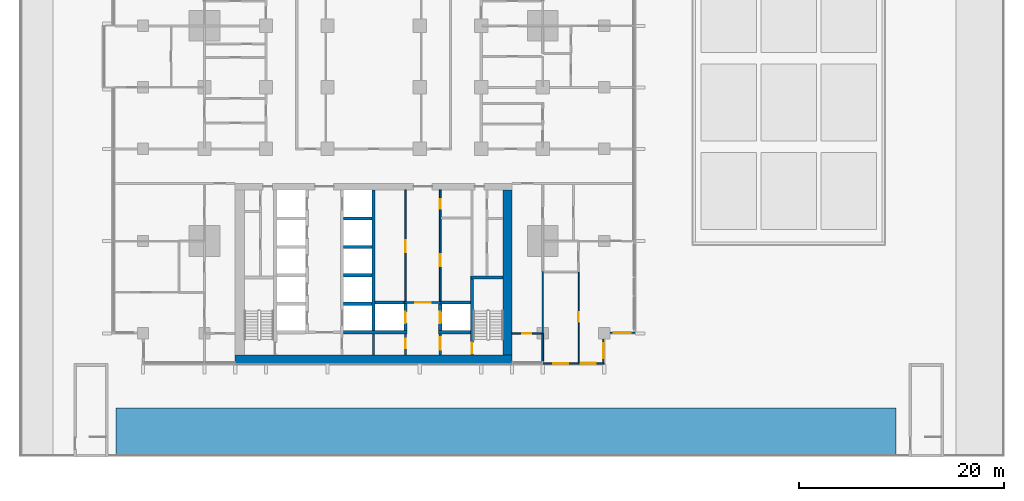
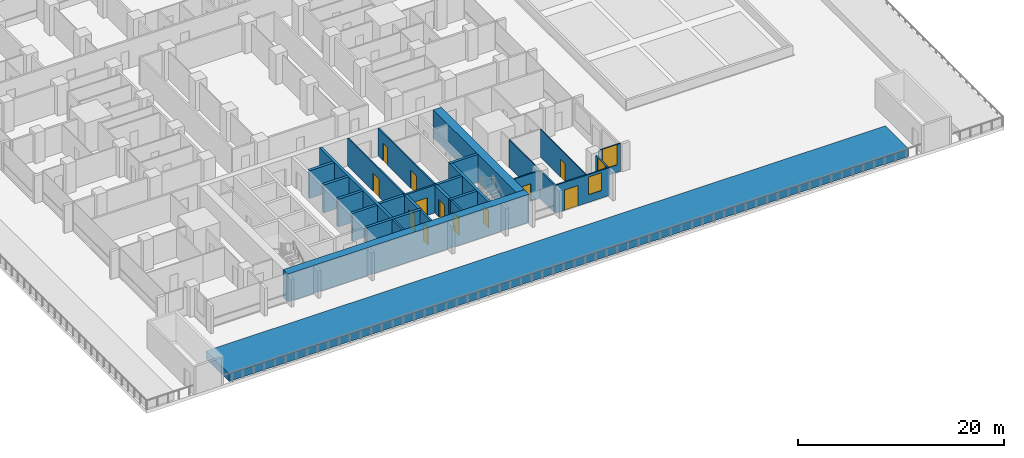
# One storey, part 11 of 25: 29 walls, 12 doors, 3 windows, 15 openings.
"""IFC4 building model written with IfcOpenShell, lengths in metres."""

from ifc_helpers import new_model, si_unit, direction, frame, frame_2d, origin, place, context, subcontext, project, spatial, rectangle, extrude, material, layer, layer_set, type_object, element, fill, save


model = new_model("IFC4")

# Units and contexts
model_context = context("Model", 3, precision=1e-05, world=origin(), true_north=direction((0.0, 1.0)))
body_context = subcontext(model_context, "Body", "Model", "MODEL_VIEW")
ifc_project = project(units=[si_unit("LENGTHUNIT", "METRE"), si_unit("AREAUNIT", "SQUARE_METRE"), si_unit("VOLUMEUNIT", "CUBIC_METRE"), si_unit("PLANEANGLEUNIT", "RADIAN"), si_unit("MASSUNIT", "GRAM", prefix="KILO")], contexts=[model_context])

# Site, building, storey
site_placement = place(None, origin())
site = spatial("IfcSite", under=ifc_project, at=site_placement, CompositionType="ELEMENT")
building_placement = place(site_placement, origin())
building = spatial("IfcBuilding", under=site, at=building_placement, Name="Finial Court Residences", CompositionType="ELEMENT")
storey_placement = place(building_placement, frame((0.0, 0.0, 32.5)))
storey = spatial("IfcBuildingStorey", under=building, at=storey_placement, Name="L06", CompositionType="ELEMENT", Elevation=32.5)

# Wall
ifc_material_1 = material(Name="Concrete C80/95", Category="concrete")
ifc_layer_1 = layer(ifc_material_1, 0.89990234375)
ifc_layer_set_1 = layer_set([ifc_layer_1], Name="Core outer wall 900 Concrete C80/95")
wall_type_1 = type_object("IfcWallType", Name="Core outer wall 900 Concrete C80/95", PredefinedType="SHEAR", material=ifc_layer_set_1)
wall_1_placement = place(storey_placement, frame((13.050048828125, -24.60009765625, 0.0), z_axis=(0.0, 0.0, 1.0), x_axis=(0.0, 1.0, 0.0)))
element("IfcWall", 1, at=wall_1_placement, inside=storey, type_object=wall_type_1, Name="Core outer wall L06-04", PredefinedType="SHEAR", context=body_context, shape_type="SweptSolid", body=[
    extrude(rectangle(XDim=16.10009765625, YDim=0.89990234375, at=frame_2d((8.050048828125, 0.0))), origin(), (0.0, 0.0, 1.0), 3.300048828125),
])

# Wall, opening, door
ifc_material_2 = material(Name="Fire-rated gypsum board partition")
ifc_layer_2 = layer(ifc_material_2, 0.14990234375)
ifc_layer_set_2 = layer_set([ifc_layer_2], Name="Core room partition 150 EI 60")
wall_type_2 = type_object("IfcWallType", Name="Core room partition 150 EI 60", PredefinedType="PARTITIONING", material=ifc_layer_set_2)
wall_2_placement = place(storey_placement, frame((3.10009765625, -19.39990234375, 0.0), z_axis=(0.0, 0.0, 1.0), x_axis=(0.0, 1.0, 0.0)))
wall_2 = element("IfcWall", 2, at=wall_2_placement, inside=storey, type_object=wall_type_2, Name="Core partition L06-32", PredefinedType="PARTITIONING", context=body_context, shape_type="SweptSolid", body=[
    extrude(rectangle(XDim=10.89990234375, YDim=0.14990234375, at=frame_2d((5.449951171875, 0.0))), origin(), (0.0, 0.0, 1.0), 3.300048828125),
])
opening_1_placement = place(wall_2_placement, frame((4.800048828125, 0.0, 0.0)))
opening_1 = element("IfcOpeningElement", 3, at=opening_1_placement, cuts=wall_2, Name="Opening L06-C14", PredefinedType="OPENING", context=body_context, shape_type="SweptSolid", body=[
    extrude(rectangle(XDim=1.199951171875, YDim=2.10009765625, at=frame_2d((0.60009765625, 1.050048828125))), frame((0.0, 0.0849609375, 0.0), z_axis=(0.0, -1.0, 0.0), x_axis=(1.0, 0.0, 0.0)), (0.0, 0.0, 1.0), 0.169921875),
])
ifc_material_3 = material(Name="Steel fire door", Category="steel")
door_type_1 = type_object("IfcDoorType", Name="Core room door 1200 x 2100 EI 60", OperationType="NOTDEFINED", PredefinedType="DOOR", material=ifc_material_3)
door_1_placement = place(opening_1_placement, origin())
door_1 = element("IfcDoor", 4, at=door_1_placement, inside=storey, type_object=door_type_1, Name="Core room door L06-C14", OperationType="SINGLE_SWING_LEFT", OverallHeight=2.10009765625, OverallWidth=1.199951171875, PredefinedType="DOOR", context=body_context, shape_type="SweptSolid", body=[
    extrude(rectangle(XDim=1.199951171875, YDim=2.10009765625, at=frame_2d((0.60009765625, 1.050048828125))), frame((0.0, 0.02490234375, 0.0), z_axis=(0.0, -1.0, 0.0), x_axis=(1.0, 0.0, 0.0)), (0.0, 0.0, 1.0), 0.050048828125),
])
fill(opening_1, door_1)

# Wall, openings, doors
wall_3_placement = place(storey_placement, frame((6.5, -8.5, 0.0), z_axis=(0.0, 0.0, 1.0), x_axis=(0.0, -1.0, 0.0)))
wall_3 = element("IfcWall", 5, at=wall_3_placement, inside=storey, type_object=wall_type_2, Name="Core partition L06-35", PredefinedType="PARTITIONING", context=body_context, shape_type="SweptSolid", body=[
    extrude(rectangle(XDim=10.85009765625, YDim=0.14990234375, at=frame_2d((5.425048828125, 0.0))), origin(), (0.0, 0.0, 1.0), 3.300048828125),
])
opening_2_placement = place(wall_3_placement, frame((6.27490234375, 0.0, 0.0)))
opening_2 = element("IfcOpeningElement", 6, at=opening_2_placement, cuts=wall_3, Name="Opening L06-C15", PredefinedType="OPENING", context=body_context, shape_type="SweptSolid", body=[
    extrude(rectangle(XDim=1.199951171875, YDim=2.10009765625, at=frame_2d((0.60009765625, 1.050048828125))), frame((0.0, 0.0849609375, 0.0), z_axis=(0.0, -1.0, 0.0), x_axis=(1.0, 0.0, 0.0)), (0.0, 0.0, 1.0), 0.169921875),
])
opening_3_placement = place(wall_3_placement, frame((0.925048828125, 0.0, 0.0)))
opening_3 = element("IfcOpeningElement", 7, at=opening_3_placement, cuts=wall_3, Name="Opening L06-C16", PredefinedType="OPENING", context=body_context, shape_type="SweptSolid", body=[
    extrude(rectangle(XDim=0.89990234375, YDim=2.10009765625, at=frame_2d((0.449951171875, 1.050048828125))), frame((0.0, 0.0849609375, 0.0), z_axis=(0.0, -1.0, 0.0), x_axis=(1.0, 0.0, 0.0)), (0.0, 0.0, 1.0), 0.169921875),
])
door_2_placement = place(opening_2_placement, origin())
door_2 = element("IfcDoor", 8, at=door_2_placement, inside=storey, type_object=door_type_1, Name="Core room door L06-C15", OperationType="SINGLE_SWING_RIGHT", OverallHeight=2.10009765625, OverallWidth=1.199951171875, PredefinedType="DOOR", context=body_context, shape_type="SweptSolid", body=[
    extrude(rectangle(XDim=1.199951171875, YDim=2.10009765625, at=frame_2d((0.60009765625, 1.050048828125))), frame((0.0, 0.02490234375, 0.0), z_axis=(0.0, -1.0, 0.0), x_axis=(1.0, 0.0, 0.0)), (0.0, 0.0, 1.0), 0.050048828125),
])
fill(opening_2, door_2)
door_type_2 = type_object("IfcDoorType", Name="Core room door 900 x 2100 EI 60", OperationType="NOTDEFINED", PredefinedType="DOOR", material=ifc_material_3)
door_3_placement = place(opening_3_placement, origin())
door_3 = element("IfcDoor", 9, at=door_3_placement, inside=storey, type_object=door_type_2, Name="Core room door L06-C16", OperationType="SINGLE_SWING_RIGHT", OverallHeight=2.10009765625, OverallWidth=0.89990234375, PredefinedType="DOOR", context=body_context, shape_type="SweptSolid", body=[
    extrude(rectangle(XDim=0.89990234375, YDim=2.10009765625, at=frame_2d((0.449951171875, 1.050048828125))), frame((0.0, 0.02490234375, 0.0), z_axis=(0.0, -1.0, 0.0), x_axis=(1.0, 0.0, 0.0)), (0.0, 0.0, 1.0), 0.050048828125),
])
fill(opening_3, door_3)

# Wall
ifc_layer_3 = layer(ifc_material_1, 0.89990234375)
ifc_layer_set_3 = layer_set([ifc_layer_3], Name="Core south facade wall 900 Concrete C80/95")
wall_type_3 = type_object("IfcWallType", Name="Core south facade wall 900 Concrete C80/95", PredefinedType="SHEAR", material=ifc_layer_set_3)
wall_4_placement = place(storey_placement, frame((-13.5, -25.050048828125, 0.0), z_axis=(0.0, 0.0, 1.0), x_axis=(1.0, 0.0, 0.0)))
element("IfcWall", 10, at=wall_4_placement, inside=storey, type_object=wall_type_3, Name="Core outer wall L06-01", PredefinedType="SHEAR", context=body_context, shape_type="SweptSolid", body=[
    extrude(rectangle(XDim=27.0, YDim=0.89990234375, at=frame_2d((13.5, 0.0))), origin(), (0.0, 0.0, 1.0), 3.300048828125),
])

# Wall, opening, door
ifc_layer_4 = layer(ifc_material_2, 0.199951171875)
ifc_layer_set_4 = layer_set([ifc_layer_4], Name="Firefighting lobby wall 200 EI 120")
wall_type_4 = type_object("IfcWallType", Name="Firefighting lobby wall 200 EI 120", PredefinedType="PARTITIONING", material=ifc_layer_set_4)
wall_5_placement = place(storey_placement, frame((6.574951171875, -19.5, 0.0), z_axis=(0.0, 0.0, 1.0), x_axis=(-1.0, 0.0, 0.0)))
wall_5 = element("IfcWall", 11, at=wall_5_placement, inside=storey, type_object=wall_type_4, Name="Core partition L06-08", PredefinedType="PARTITIONING", context=body_context, shape_type="SweptSolid", body=[
    extrude(rectangle(XDim=3.550048828125, YDim=0.199951171875, at=frame_2d((1.77490234375, 0.0))), origin(), (0.0, 0.0, 1.0), 3.300048828125),
])
opening_4_placement = place(wall_5_placement, frame((1.02490234375, 0.0, 0.0)))
opening_4 = element("IfcOpeningElement", 12, at=opening_4_placement, cuts=wall_5, Name="Opening L06-C02", PredefinedType="OPENING", context=body_context, shape_type="SweptSolid", body=[
    extrude(rectangle(XDim=1.5, YDim=2.10009765625, at=frame_2d((0.75, 1.050048828125))), frame((0.0, 0.10986328125, 0.0), z_axis=(0.0, -1.0, 0.0), x_axis=(1.0, 0.0, 0.0)), (0.0, 0.0, 1.0), 0.219970703125),
])
door_type_3 = type_object("IfcDoorType", Name="Firefighting lobby door 1500 x 2100 EI 90", OperationType="DOUBLE_DOOR_SINGLE_SWING", PredefinedType="DOOR", material=ifc_material_3)
door_4_placement = place(opening_4_placement, origin())
door_4 = element("IfcDoor", 13, at=door_4_placement, inside=storey, type_object=door_type_3, Name="Firefighting lobby door L06-C02", OperationType="DOUBLE_DOOR_SINGLE_SWING", OverallHeight=2.10009765625, OverallWidth=1.5, PredefinedType="DOOR", context=body_context, shape_type="SweptSolid", body=[
    extrude(rectangle(XDim=1.5, YDim=2.10009765625, at=frame_2d((0.75, 1.050048828125))), frame((0.0, 0.02490234375, 0.0), z_axis=(0.0, -1.0, 0.0), x_axis=(1.0, 0.0, 0.0)), (0.0, 0.0, 1.0), 0.050048828125),
])
fill(opening_4, door_4)

wall_6_placement = place(storey_placement, frame((3.10009765625, -24.60009765625, 0.0), z_axis=(0.0, 0.0, 1.0), x_axis=(0.0, 1.0, 0.0)))
wall_6 = element("IfcWall", 14, at=wall_6_placement, inside=storey, type_object=wall_type_4, Name="Core partition L06-30", PredefinedType="PARTITIONING", context=body_context, shape_type="SweptSolid", body=[
    extrude(rectangle(XDim=2.050048828125, YDim=0.199951171875, at=frame_2d((1.02490234375, 0.0))), origin(), (0.0, 0.0, 1.0), 3.300048828125),
])
opening_5_placement = place(wall_6_placement, frame((0.64990234375, 0.0, 0.0)))
opening_5 = element("IfcOpeningElement", 15, at=opening_5_placement, cuts=wall_6, Name="Opening L06-C06", PredefinedType="OPENING", context=body_context, shape_type="SweptSolid", body=[
    extrude(rectangle(XDim=0.89990234375, YDim=2.10009765625, at=frame_2d((0.449951171875, 1.050048828125))), frame((0.0, 0.10986328125, 0.0), z_axis=(0.0, -1.0, 0.0), x_axis=(1.0, 0.0, 0.0)), (0.0, 0.0, 1.0), 0.219970703125),
])
door_type_4 = type_object("IfcDoorType", Name="Riser room door 900 x 2100 EI 90", OperationType="NOTDEFINED", PredefinedType="DOOR", material=ifc_material_3)
door_5_placement = place(opening_5_placement, origin())
door_5 = element("IfcDoor", 16, at=door_5_placement, inside=storey, type_object=door_type_4, Name="Riser room door L06-C06", OperationType="SINGLE_SWING_LEFT", OverallHeight=2.10009765625, OverallWidth=0.89990234375, PredefinedType="DOOR", context=body_context, shape_type="SweptSolid", body=[
    extrude(rectangle(XDim=0.89990234375, YDim=2.10009765625, at=frame_2d((0.449951171875, 1.050048828125))), frame((0.0, 0.02490234375, 0.0), z_axis=(0.0, -1.0, 0.0), x_axis=(1.0, 0.0, 0.0)), (0.0, 0.0, 1.0), 0.050048828125),
])
fill(opening_5, door_5)

wall_7_placement = place(storey_placement, frame((6.5, -22.550048828125, 0.0), z_axis=(0.0, 0.0, 1.0), x_axis=(0.0, -1.0, 0.0)))
wall_7 = element("IfcWall", 17, at=wall_7_placement, inside=storey, type_object=wall_type_4, Name="Core partition L06-33", PredefinedType="PARTITIONING", context=body_context, shape_type="SweptSolid", body=[
    extrude(rectangle(XDim=2.050048828125, YDim=0.199951171875, at=frame_2d((1.02490234375, 0.0))), origin(), (0.0, 0.0, 1.0), 3.300048828125),
])
opening_6_placement = place(wall_7_placement, frame((0.35009765625, 0.0, 0.0)))
opening_6 = element("IfcOpeningElement", 18, at=opening_6_placement, cuts=wall_7, Name="Opening L06-C01", PredefinedType="OPENING", context=body_context, shape_type="SweptSolid", body=[
    extrude(rectangle(XDim=1.199951171875, YDim=2.10009765625, at=frame_2d((0.60009765625, 1.050048828125))), frame((0.0, 0.10986328125, 0.0), z_axis=(0.0, -1.0, 0.0), x_axis=(1.0, 0.0, 0.0)), (0.0, 0.0, 1.0), 0.219970703125),
])
door_type_5 = type_object("IfcDoorType", Name="Firefighting lobby door 1200 x 2100 EI 90", OperationType="NOTDEFINED", PredefinedType="DOOR", material=ifc_material_3)
door_6_placement = place(opening_6_placement, origin())
door_6 = element("IfcDoor", 19, at=door_6_placement, inside=storey, type_object=door_type_5, Name="Firefighting lobby door L06-C01", OperationType="SINGLE_SWING_RIGHT", OverallHeight=2.10009765625, OverallWidth=1.199951171875, PredefinedType="DOOR", context=body_context, shape_type="SweptSolid", body=[
    extrude(rectangle(XDim=1.199951171875, YDim=2.10009765625, at=frame_2d((0.60009765625, 1.050048828125))), frame((0.0, 0.02490234375, 0.0), z_axis=(0.0, -1.0, 0.0), x_axis=(1.0, 0.0, 0.0)), (0.0, 0.0, 1.0), 0.050048828125),
])
fill(opening_6, door_6)

# Wall
ifc_material_4 = material(Name="Gypsum board")
ifc_layer_5 = layer(ifc_material_4, 0.012451171875)
ifc_material_5 = material(Name="Mineral wool in light-gauge frame")
ifc_layer_6 = layer(ifc_material_5, 0.074951171875)
ifc_layer_7 = layer(ifc_material_4, 0.012451171875)
ifc_layer_set_5 = layer_set([ifc_layer_5, ifc_layer_6, ifc_layer_7], Name="Gypsum board partition 100")
wall_type_5 = type_object("IfcWallType", Name="Gypsum board partition 100", PredefinedType="PARTITIONING", material=ifc_layer_set_5)
wall_8_placement = place(storey_placement, frame((16.5, -22.5, 0.0), z_axis=(0.0, 0.0, 1.0), x_axis=(0.0, 1.0, 0.0)))
element("IfcWall", 20, at=wall_8_placement, inside=storey, type_object=wall_type_5, Name="Partition L06-078", PredefinedType="PARTITIONING", context=body_context, shape_type="SweptSolid", body=[
    extrude(rectangle(XDim=6.0, YDim=0.10009765625, at=frame_2d((3.0, 0.0))), origin(), (0.0, 0.0, 1.0), 3.300048828125),
])

# Wall, opening, door
wall_9_placement = place(storey_placement, frame((20.0, -25.35009765625, 0.0), z_axis=(0.0, 0.0, 1.0), x_axis=(0.0, 1.0, 0.0)))
wall_9 = element("IfcWall", 21, at=wall_9_placement, inside=storey, type_object=wall_type_5, Name="Partition L06-094", PredefinedType="PARTITIONING", context=body_context, shape_type="SweptSolid", body=[
    extrude(rectangle(XDim=8.85009765625, YDim=0.10009765625, at=frame_2d((4.425048828125, 0.0))), origin(), (0.0, 0.0, 1.0), 3.300048828125),
])
opening_7_placement = place(wall_9_placement, frame((4.0, 0.0, 0.0)))
opening_7 = element("IfcOpeningElement", 22, at=opening_7_placement, cuts=wall_9, Name="Opening L06-D058", PredefinedType="OPENING", context=body_context, shape_type="SweptSolid", body=[
    extrude(rectangle(XDim=0.89990234375, YDim=2.10009765625, at=frame_2d((0.449951171875, 1.050048828125))), frame((0.0, 0.06005859375, 0.0), z_axis=(0.0, -1.0, 0.0), x_axis=(1.0, 0.0, 0.0)), (0.0, 0.0, 1.0), 0.1201171875),
])
ifc_material_6 = material(Name="Timber door leaf in timber frame", Category="wood")
door_type_6 = type_object("IfcDoorType", Name="Door set 900 x 2100", OperationType="SINGLE_SWING_LEFT", PredefinedType="DOOR", material=ifc_material_6)
door_7_placement = place(opening_7_placement, origin())
door_7 = element("IfcDoor", 23, at=door_7_placement, inside=storey, type_object=door_type_6, Name="Door L06-D058", OperationType="SINGLE_SWING_RIGHT", OverallHeight=2.10009765625, OverallWidth=0.89990234375, PredefinedType="DOOR", context=body_context, shape_type="SweptSolid", body=[
    extrude(rectangle(XDim=0.89990234375, YDim=2.10009765625, at=frame_2d((0.449951171875, 1.050048828125))), frame((0.0, 0.02490234375, 0.0), z_axis=(0.0, -1.0, 0.0), x_axis=(1.0, 0.0, 0.0)), (0.0, 0.0, 1.0), 0.050048828125),
])
fill(opening_7, door_7)

ifc_material_7 = material(Name="Moisture-resistant gypsum board")
ifc_layer_8 = layer(ifc_material_7, 0.012451171875)
ifc_layer_9 = layer(ifc_material_5, 0.125)
ifc_layer_10 = layer(ifc_material_7, 0.012451171875)
ifc_layer_set_6 = layer_set([ifc_layer_8, ifc_layer_9, ifc_layer_10], Name="Gypsum board wet-area partition 150")
wall_type_6 = type_object("IfcWallType", Name="Gypsum board wet-area partition 150", PredefinedType="PARTITIONING", material=ifc_layer_set_6)
wall_10_placement = place(storey_placement, frame((13.5, -22.5, 0.0), z_axis=(0.0, 0.0, 1.0), x_axis=(1.0, 0.0, 0.0)))
wall_10 = element("IfcWall", 24, at=wall_10_placement, inside=storey, type_object=wall_type_6, Name="Partition L06-001", PredefinedType="PARTITIONING", context=body_context, shape_type="SweptSolid", body=[
    extrude(rectangle(XDim=2.925048828125, YDim=0.14990234375, at=frame_2d((1.46240234375, 0.0))), origin(), (0.0, 0.0, 1.0), 3.300048828125),
])
opening_8_placement = place(wall_10_placement, frame((1.0, 0.0, 0.0)))
opening_8 = element("IfcOpeningElement", 25, at=opening_8_placement, cuts=wall_10, Name="Opening L06-D002", PredefinedType="OPENING", context=body_context, shape_type="SweptSolid", body=[
    extrude(rectangle(XDim=0.89990234375, YDim=2.10009765625, at=frame_2d((0.449951171875, 1.050048828125))), frame((0.0, 0.0849609375, 0.0), z_axis=(0.0, -1.0, 0.0), x_axis=(1.0, 0.0, 0.0)), (0.0, 0.0, 1.0), 0.169921875),
])
door_8_placement = place(opening_8_placement, origin())
door_8 = element("IfcDoor", 26, at=door_8_placement, inside=storey, type_object=door_type_6, Name="Door L06-D002", OperationType="SINGLE_SWING_RIGHT", OverallHeight=2.10009765625, OverallWidth=0.89990234375, PredefinedType="DOOR", context=body_context, shape_type="SweptSolid", body=[
    extrude(rectangle(XDim=0.89990234375, YDim=2.10009765625, at=frame_2d((0.449951171875, 1.050048828125))), frame((0.0, 0.02490234375, 0.0), z_axis=(0.0, -1.0, 0.0), x_axis=(1.0, 0.0, 0.0)), (0.0, 0.0, 1.0), 0.050048828125),
])
fill(opening_8, door_8)

# Walls
wall_11_placement = place(storey_placement, frame((16.5, -25.25, 0.0), z_axis=(0.0, 0.0, 1.0), x_axis=(0.0, 1.0, 0.0)))
element("IfcWall", 27, at=wall_11_placement, inside=storey, type_object=wall_type_6, Name="Partition L06-084", PredefinedType="PARTITIONING", context=body_context, shape_type="SweptSolid", body=[
    extrude(rectangle(XDim=2.75, YDim=0.14990234375, at=frame_2d((1.375, 0.0))), origin(), (0.0, 0.0, 1.0), 3.300048828125),
])
ifc_layer_11 = layer(ifc_material_1, 0.300048828125)
ifc_layer_set_7 = layer_set([ifc_layer_11], Name="Lift shaft and stair wall 300 Concrete C80/95")
wall_type_7 = type_object("IfcWallType", Name="Lift shaft and stair wall 300 Concrete C80/95", PredefinedType="SHEAR", material=ifc_layer_set_7)
wall_12_placement = place(storey_placement, frame((-2.949951171875, -22.39990234375, 0.0), z_axis=(0.0, 0.0, 1.0), x_axis=(1.0, 0.0, 0.0)))
element("IfcWall", 28, at=wall_12_placement, inside=storey, type_object=wall_type_7, Name="Core wall L06-03", PredefinedType="SHEAR", context=body_context, shape_type="SweptSolid", body=[
    extrude(rectangle(XDim=6.199951171875, YDim=0.300048828125, at=frame_2d((3.10009765625, 0.0))), origin(), (0.0, 0.0, 1.0), 3.300048828125),
])
wall_13_placement = place(storey_placement, frame((6.35009765625, -22.39990234375, 0.0), z_axis=(0.0, 0.0, 1.0), x_axis=(1.0, 0.0, 0.0)))
element("IfcWall", 29, at=wall_13_placement, inside=storey, type_object=wall_type_7, Name="Core wall L06-04", PredefinedType="SHEAR", context=body_context, shape_type="SweptSolid", body=[
    extrude(rectangle(XDim=3.099853515625, YDim=0.300048828125, at=frame_2d((1.5498046875, 0.0))), origin(), (0.0, 0.0, 1.0), 3.300048828125),
])
wall_14_placement = place(storey_placement, frame((-2.949951171875, -19.6201171875, 0.0), z_axis=(0.0, 0.0, 1.0), x_axis=(1.0, 0.0, 0.0)))
element("IfcWall", 30, at=wall_14_placement, inside=storey, type_object=wall_type_7, Name="Core wall L06-06", PredefinedType="SHEAR", context=body_context, shape_type="SweptSolid", body=[
    extrude(rectangle(XDim=2.800048828125, YDim=0.300048828125, at=frame_2d((1.39990234375, 0.0))), origin(), (0.0, 0.0, 1.0), 3.300048828125),
])
wall_15_placement = place(storey_placement, frame((0.14990234375, -19.5, 0.0), z_axis=(0.0, 0.0, 1.0), x_axis=(1.0, 0.0, 0.0)))
element("IfcWall", 31, at=wall_15_placement, inside=storey, type_object=wall_type_7, Name="Core wall L06-07", PredefinedType="SHEAR", context=body_context, shape_type="SweptSolid", body=[
    extrude(rectangle(XDim=3.025146484375, YDim=0.300048828125, at=frame_2d((1.5126953125, 0.0))), origin(), (0.0, 0.0, 1.0), 3.300048828125),
])
wall_16_placement = place(storey_placement, frame((6.425048828125, -19.5, 0.0), z_axis=(0.0, 0.0, 1.0), x_axis=(1.0, 0.0, 0.0)))
element("IfcWall", 32, at=wall_16_placement, inside=storey, type_object=wall_type_7, Name="Core wall L06-09", PredefinedType="SHEAR", context=body_context, shape_type="SweptSolid", body=[
    extrude(rectangle(XDim=3.02490234375, YDim=0.300048828125, at=frame_2d((1.512451171875, 0.0))), origin(), (0.0, 0.0, 1.0), 3.300048828125),
])
wall_17_placement = place(storey_placement, frame((9.5, -17.050048828125, 0.0), z_axis=(0.0, 0.0, 1.0), x_axis=(1.0, 0.0, 0.0)))
element("IfcWall", 33, at=wall_17_placement, inside=storey, type_object=wall_type_7, Name="Core wall L06-11", PredefinedType="SHEAR", context=body_context, shape_type="SweptSolid", body=[
    extrude(rectangle(XDim=3.10009765625, YDim=0.300048828125, at=frame_2d((1.550048828125, 0.0))), origin(), (0.0, 0.0, 1.0), 3.300048828125),
])
for number, where, z_axis, x_axis, name in (
    (34, (-2.949951171875, -16.840087890625, 0.0), (0.0, 0.0, 1.0), (1.0, 0.0, 0.0), "Core wall L06-13"),
    (35, (-2.949951171875, -14.06005859375, 0.0), (0.0, 0.0, 1.0), (1.0, 0.0, 0.0), "Core wall L06-15"),
    (36, (-2.949951171875, -11.280029296875, 0.0), (0.0, 0.0, 1.0), (1.0, 0.0, 0.0), "Core wall L06-18"),
):
    element("IfcWall", number, at=place(storey_placement, frame(where, z_axis=z_axis, x_axis=x_axis)), inside=storey, type_object=wall_type_7, Name=name, PredefinedType="SHEAR", context=body_context, shape_type="SweptSolid", body=[
        extrude(rectangle(XDim=2.800048828125, YDim=0.300048828125, at=frame_2d((1.39990234375, 0.0))), origin(), (0.0, 0.0, 1.0), 3.300048828125),
    ])
wall_18_placement = place(storey_placement, frame((0.0, -22.25, 0.0), z_axis=(0.0, 0.0, 1.0), x_axis=(0.0, 1.0, 0.0)))
element("IfcWall", 37, at=wall_18_placement, inside=storey, type_object=wall_type_7, Name="Core wall L06-29", PredefinedType="SHEAR", context=body_context, shape_type="SweptSolid", body=[
    extrude(rectangle(XDim=13.75, YDim=0.300048828125, at=frame_2d((6.875, 0.0))), origin(), (0.0, 0.0, 1.0), 3.300048828125),
])

# Wall, opening, door
wall_19_placement = place(storey_placement, frame((3.10009765625, -22.25, 0.0), z_axis=(0.0, 0.0, 1.0), x_axis=(0.0, 1.0, 0.0)))
wall_19 = element("IfcWall", 38, at=wall_19_placement, inside=storey, type_object=wall_type_7, Name="Core wall L06-31", PredefinedType="SHEAR", context=body_context, shape_type="SweptSolid", body=[
    extrude(rectangle(XDim=2.85009765625, YDim=0.300048828125, at=frame_2d((1.425048828125, 0.0))), origin(), (0.0, 0.0, 1.0), 3.300048828125),
])
opening_9_placement = place(wall_19_placement, frame((0.75, 0.0, 0.0)))
opening_9 = element("IfcOpeningElement", 39, at=opening_9_placement, cuts=wall_19, Name="Opening L06-LD01", PredefinedType="OPENING", context=body_context, shape_type="SweptSolid", body=[
    extrude(rectangle(XDim=1.10009765625, YDim=2.10009765625, at=frame_2d((0.550048828125, 1.050048828125))), frame((0.0, 0.159912109375, 0.0), z_axis=(0.0, -1.0, 0.0), x_axis=(1.0, 0.0, 0.0)), (0.0, 0.0, 1.0), 0.320068359375),
])
ifc_material_8 = material(Name="Stainless steel lift door", Category="steel")
door_type_7 = type_object("IfcDoorType", Name="Lift landing door 1100 x 2100 EI 90", OperationType="DOUBLE_DOOR_SLIDING", PredefinedType="DOOR", material=ifc_material_8)
door_9_placement = place(opening_9_placement, origin())
door_9 = element("IfcDoor", 40, at=door_9_placement, inside=storey, type_object=door_type_7, Name="Lift landing door FF1 L06", OperationType="DOUBLE_DOOR_SLIDING", OverallHeight=2.10009765625, OverallWidth=1.10009765625, PredefinedType="DOOR", context=body_context, shape_type="SweptSolid", body=[
    extrude(rectangle(XDim=1.10009765625, YDim=2.10009765625, at=frame_2d((0.550048828125, 1.050048828125))), frame((0.0, 0.02490234375, 0.0), z_axis=(0.0, -1.0, 0.0), x_axis=(1.0, 0.0, 0.0)), (0.0, 0.0, 1.0), 0.050048828125),
])
fill(opening_9, door_9)

wall_20_placement = place(storey_placement, frame((6.5, -22.25, 0.0), z_axis=(0.0, 0.0, 1.0), x_axis=(0.0, 1.0, 0.0)))
wall_20 = element("IfcWall", 41, at=wall_20_placement, inside=storey, type_object=wall_type_7, Name="Core wall L06-34", PredefinedType="SHEAR", context=body_context, shape_type="SweptSolid", body=[
    extrude(rectangle(XDim=2.60009765625, YDim=0.300048828125, at=frame_2d((1.300048828125, 0.0))), origin(), (0.0, 0.0, 1.0), 3.300048828125),
])
opening_10_placement = place(wall_20_placement, frame((0.75, 0.0, 0.0)))
opening_10 = element("IfcOpeningElement", 42, at=opening_10_placement, cuts=wall_20, Name="Opening L06-LD02", PredefinedType="OPENING", context=body_context, shape_type="SweptSolid", body=[
    extrude(rectangle(XDim=1.10009765625, YDim=2.10009765625, at=frame_2d((0.550048828125, 1.050048828125))), frame((0.0, 0.159912109375, 0.0), z_axis=(0.0, -1.0, 0.0), x_axis=(1.0, 0.0, 0.0)), (0.0, 0.0, 1.0), 0.320068359375),
])
door_10_placement = place(opening_10_placement, origin())
door_10 = element("IfcDoor", 43, at=door_10_placement, inside=storey, type_object=door_type_7, Name="Lift landing door FF2 L06", OperationType="DOUBLE_DOOR_SLIDING", OverallHeight=2.10009765625, OverallWidth=1.10009765625, PredefinedType="DOOR", context=body_context, shape_type="SweptSolid", body=[
    extrude(rectangle(XDim=1.10009765625, YDim=2.10009765625, at=frame_2d((0.550048828125, 1.050048828125))), frame((0.0, 0.02490234375, 0.0), z_axis=(0.0, -1.0, 0.0), x_axis=(1.0, 0.0, 0.0)), (0.0, 0.0, 1.0), 0.050048828125),
])
fill(opening_10, door_10)

wall_21_placement = place(storey_placement, frame((9.60009765625, -16.89990234375, 0.0), z_axis=(0.0, 0.0, 1.0), x_axis=(0.0, -1.0, 0.0)))
wall_21 = element("IfcWall", 44, at=wall_21_placement, inside=storey, type_object=wall_type_7, Name="Core wall L06-36", PredefinedType="SHEAR", context=body_context, shape_type="SweptSolid", body=[
    extrude(rectangle(XDim=7.7001953125, YDim=0.300048828125, at=frame_2d((3.85009765625, 0.0))), origin(), (0.0, 0.0, 1.0), 3.300048828125),
])
opening_11_placement = place(wall_21_placement, frame((6.5, 0.0, 0.0)))
opening_11 = element("IfcOpeningElement", 45, at=opening_11_placement, cuts=wall_21, Name="Opening L06-C18", PredefinedType="OPENING", context=body_context, shape_type="SweptSolid", body=[
    extrude(rectangle(XDim=1.10009765625, YDim=2.10009765625, at=frame_2d((0.550048828125, 1.050048828125))), frame((0.0, 0.159912109375, 0.0), z_axis=(0.0, -1.0, 0.0), x_axis=(1.0, 0.0, 0.0)), (0.0, 0.0, 1.0), 0.320068359375),
])
door_type_8 = type_object("IfcDoorType", Name="Stair door 1100 x 2100 EI 90", OperationType="NOTDEFINED", PredefinedType="DOOR", material=ifc_material_3)
door_11_placement = place(opening_11_placement, origin())
door_11 = element("IfcDoor", 46, at=door_11_placement, inside=storey, type_object=door_type_8, Name="Stair door L06-C18", OperationType="SINGLE_SWING_RIGHT", OverallHeight=2.10009765625, OverallWidth=1.10009765625, PredefinedType="DOOR", context=body_context, shape_type="SweptSolid", body=[
    extrude(rectangle(XDim=1.10009765625, YDim=2.10009765625, at=frame_2d((0.550048828125, 1.050048828125))), frame((0.0, 0.02490234375, 0.0), z_axis=(0.0, -1.0, 0.0), x_axis=(1.0, 0.0, 0.0)), (0.0, 0.0, 1.0), 0.050048828125),
])
fill(opening_11, door_11)

# Wall, opening, window
ifc_material_9 = material(Name="Natural limestone", Category="masonry")
ifc_layer_12 = layer(ifc_material_9, 0.14990234375)
ifc_layer_set_8 = layer_set([ifc_layer_12], Name="Limestone clad wall 150")
wall_type_8 = type_object("IfcWallType", Name="Limestone clad wall 150", PredefinedType="SOLIDWALL", material=ifc_layer_set_8)
wall_22_placement = place(storey_placement, frame((22.425048828125, -23.050048828125, 0.0), z_axis=(0.0, 0.0, 1.0), x_axis=(0.0, -1.0, 0.0)))
wall_22 = element("IfcWall", 47, at=wall_22_placement, inside=storey, type_object=wall_type_8, Name="E-L06-NWE14", PredefinedType="SOLIDWALL", context=body_context, shape_type="SweptSolid", body=[
    extrude(rectangle(XDim=2.300048828125, YDim=0.14990234375, at=frame_2d((1.14990234375, 0.0))), origin(), (0.0, 0.0, 1.0), 3.300048828125),
])
opening_12_placement = place(wall_22_placement, frame((0.39990234375, 0.0, 0.89990234375)))
opening_12 = element("IfcOpeningElement", 48, at=opening_12_placement, cuts=wall_22, Name="Opening WE06-03", PredefinedType="OPENING", context=body_context, shape_type="SweptSolid", body=[
    extrude(rectangle(XDim=1.5, YDim=2.39990234375, at=frame_2d((0.75, 1.199951171875))), frame((0.0, 0.0849609375, 0.0), z_axis=(0.0, -1.0, 0.0), x_axis=(1.0, 0.0, 0.0)), (0.0, 0.0, 1.0), 0.169921875),
])
ifc_material_10 = material(Name="Clear low-e glass", Category="glass")
window_type_1 = type_object("IfcWindowType", Name="Corner window 1500 x 2400", PartitioningType="SINGLE_PANEL", PredefinedType="WINDOW", material=ifc_material_10)
window_1_placement = place(opening_12_placement, origin())
window_1 = element("IfcWindow", 49, at=window_1_placement, inside=storey, type_object=window_type_1, Name="E-L06-NWE14-W1", OverallHeight=2.39990234375, OverallWidth=1.5, PartitioningType="SINGLE_PANEL", PredefinedType="WINDOW", context=body_context, shape_type="SweptSolid", body=[
    extrude(rectangle(XDim=1.5, YDim=2.39990234375, at=frame_2d((0.75, 1.199951171875))), frame((0.0, 0.030029296875, 0.0), z_axis=(0.0, -1.0, 0.0), x_axis=(1.0, 0.0, 0.0)), (0.0, 0.0, 1.0), 0.06005859375),
])
fill(opening_12, window_1)

wall_23_placement = place(storey_placement, frame((25.5, -22.425048828125, 0.0), z_axis=(0.0, 0.0, 1.0), x_axis=(-1.0, 0.0, 0.0)))
wall_23 = element("IfcWall", 50, at=wall_23_placement, inside=storey, type_object=wall_type_8, Name="E-L06-NWS15", PredefinedType="SOLIDWALL", context=body_context, shape_type="SweptSolid", body=[
    extrude(rectangle(XDim=2.449951171875, YDim=0.14990234375, at=frame_2d((1.22509765625, 0.0))), origin(), (0.0, 0.0, 1.0), 3.300048828125),
])
opening_13_placement = place(wall_23_placement, frame((0.39990234375, 0.0, 0.89990234375)))
opening_13 = element("IfcOpeningElement", 51, at=opening_13_placement, cuts=wall_23, Name="Opening WE06-04", PredefinedType="OPENING", context=body_context, shape_type="SweptSolid", body=[
    extrude(rectangle(XDim=1.64990234375, YDim=2.39990234375, at=frame_2d((0.824951171875, 1.199951171875))), frame((0.0, 0.0849609375, 0.0), z_axis=(0.0, -1.0, 0.0), x_axis=(1.0, 0.0, 0.0)), (0.0, 0.0, 1.0), 0.169921875),
])
window_type_2 = type_object("IfcWindowType", Name="Corner window 1650 x 2400", PartitioningType="SINGLE_PANEL", PredefinedType="WINDOW", material=ifc_material_10)
window_2_placement = place(opening_13_placement, origin())
window_2 = element("IfcWindow", 52, at=window_2_placement, inside=storey, type_object=window_type_2, Name="E-L06-NWS15-W1", OverallHeight=2.39990234375, OverallWidth=1.64990234375, PartitioningType="SINGLE_PANEL", PredefinedType="WINDOW", context=body_context, shape_type="SweptSolid", body=[
    extrude(rectangle(XDim=1.64990234375, YDim=2.39990234375, at=frame_2d((0.824951171875, 1.199951171875))), frame((0.0, 0.030029296875, 0.0), z_axis=(0.0, -1.0, 0.0), x_axis=(1.0, 0.0, 0.0)), (0.0, 0.0, 1.0), 0.06005859375),
])
fill(opening_13, window_2)

# Wall, openings, door, window
wall_24_placement = place(storey_placement, frame((22.5, -25.425048828125, 0.0), z_axis=(0.0, 0.0, 1.0), x_axis=(-1.0, 0.0, 0.0)))
wall_24 = element("IfcWall", 53, at=wall_24_placement, inside=storey, type_object=wall_type_8, Name="E-L06-L06-TD3-W", PredefinedType="SOLIDWALL", context=body_context, shape_type="SweptSolid", body=[
    extrude(rectangle(XDim=6.0, YDim=0.14990234375, at=frame_2d((3.0, 0.0))), origin(), (0.0, 0.0, 1.0), 3.300048828125),
])
opening_14_placement = place(wall_24_placement, frame((3.5, 0.0, 0.0)))
opening_14 = element("IfcOpeningElement", 54, at=opening_14_placement, cuts=wall_24, Name="Opening DE06-03", PredefinedType="OPENING", context=body_context, shape_type="SweptSolid", body=[
    extrude(rectangle(XDim=1.5, YDim=2.39990234375, at=frame_2d((0.75, 1.199951171875))), frame((0.0, 0.0849609375, 0.0), z_axis=(0.0, -1.0, 0.0), x_axis=(1.0, 0.0, 0.0)), (0.0, 0.0, 1.0), 0.169921875),
])
opening_15_placement = place(wall_24_placement, frame((0.85009765625, 0.0, 0.89990234375)))
opening_15 = element("IfcOpeningElement", 55, at=opening_15_placement, cuts=wall_24, Name="Opening WE06-13", PredefinedType="OPENING", context=body_context, shape_type="SweptSolid", body=[
    extrude(rectangle(XDim=1.449951171875, YDim=2.10009765625, at=frame_2d((0.72509765625, 1.050048828125))), frame((0.0, 0.0849609375, 0.0), z_axis=(0.0, -1.0, 0.0), x_axis=(1.0, 0.0, 0.0)), (0.0, 0.0, 1.0), 0.169921875),
])
ifc_material_11 = material(Name="Bronze anodised aluminium", Category="aluminium")
door_type_9 = type_object("IfcDoorType", Name="Terrace door 1500 x 2400", OperationType="DOUBLE_DOOR_SINGLE_SWING", PredefinedType="DOOR", material=ifc_material_11)
door_12_placement = place(opening_14_placement, origin())
door_12 = element("IfcDoor", 56, at=door_12_placement, inside=storey, type_object=door_type_9, Name="E-L06-L06-TD3-W-D", OperationType="DOUBLE_DOOR_SINGLE_SWING", OverallHeight=2.39990234375, OverallWidth=1.5, PredefinedType="DOOR", context=body_context, shape_type="SweptSolid", body=[
    extrude(rectangle(XDim=1.5, YDim=2.39990234375, at=frame_2d((0.75, 1.199951171875))), frame((0.0, 0.02490234375, 0.0), z_axis=(0.0, -1.0, 0.0), x_axis=(1.0, 0.0, 0.0)), (0.0, 0.0, 1.0), 0.050048828125),
])
fill(opening_14, door_12)
window_type_3 = type_object("IfcWindowType", Name="Terrace window 1450 x 2100", PartitioningType="SINGLE_PANEL", PredefinedType="WINDOW", material=ifc_material_10)
window_3_placement = place(opening_15_placement, origin())
window_3 = element("IfcWindow", 57, at=window_3_placement, inside=storey, type_object=window_type_3, Name="E-L06-L06-TD3-W-W1", OverallHeight=2.10009765625, OverallWidth=1.449951171875, PartitioningType="SINGLE_PANEL", PredefinedType="WINDOW", context=body_context, shape_type="SweptSolid", body=[
    extrude(rectangle(XDim=1.449951171875, YDim=2.10009765625, at=frame_2d((0.72509765625, 1.050048828125))), frame((0.0, 0.030029296875, 0.0), z_axis=(0.0, -1.0, 0.0), x_axis=(1.0, 0.0, 0.0)), (0.0, 0.0, 1.0), 0.06005859375),
])
fill(opening_15, window_3)

# Walls
ifc_material_12 = material(Name="Concrete C40/50", Category="concrete")
ifc_layer_13 = layer(ifc_material_12, 0.199951171875)
ifc_material_13 = material(Name="Planting soil", Category="soil")
ifc_layer_14 = layer(ifc_material_13, 4.10009765625)
ifc_layer_15 = layer(ifc_material_12, 0.199951171875)
ifc_layer_set_9 = layer_set([ifc_layer_13, ifc_layer_14, ifc_layer_15], Name="Planter wall, terrace 4500")
wall_type_9 = type_object("IfcWallType", Name="Planter wall, terrace 4500", PredefinedType="USERDEFINED", material=ifc_layer_set_9)
wall_25_placement = place(storey_placement, frame((-25.14990234375, -32.050048828125, 0.0), z_axis=(0.0, 0.0, 1.0), x_axis=(1.0, 0.0, 0.0)))
element("IfcWall", 58, at=wall_25_placement, inside=storey, type_object=wall_type_9, Name="E-L06-TER1-PL1", ObjectType="PLANTER", PredefinedType="USERDEFINED", context=body_context, shape_type="SweptSolid", body=[
    extrude(rectangle(XDim=76.099853515625, YDim=4.5, at=frame_2d((38.0498046875, 0.0))), origin(), (0.0, 0.0, 1.0), 0.89990234375),
])
ifc_layer_16 = layer(ifc_material_2, 0.199951171875)
ifc_layer_set_10 = layer_set([ifc_layer_16], Name="Riser room wall 200 EI 120")
wall_type_10 = type_object("IfcWallType", Name="Riser room wall 200 EI 120", PredefinedType="PARTITIONING", material=ifc_layer_set_10)
wall_26_placement = place(storey_placement, frame((0.0, -24.60009765625, 0.0), z_axis=(0.0, 0.0, 1.0), x_axis=(0.0, 1.0, 0.0)))
element("IfcWall", 59, at=wall_26_placement, inside=storey, type_object=wall_type_10, Name="Core partition L06-28", PredefinedType="PARTITIONING", context=body_context, shape_type="SweptSolid", body=[
    extrude(rectangle(XDim=2.050048828125, YDim=0.199951171875, at=frame_2d((1.02490234375, 0.0))), origin(), (0.0, 0.0, 1.0), 3.300048828125),
])

save(model, "model.ifc")
